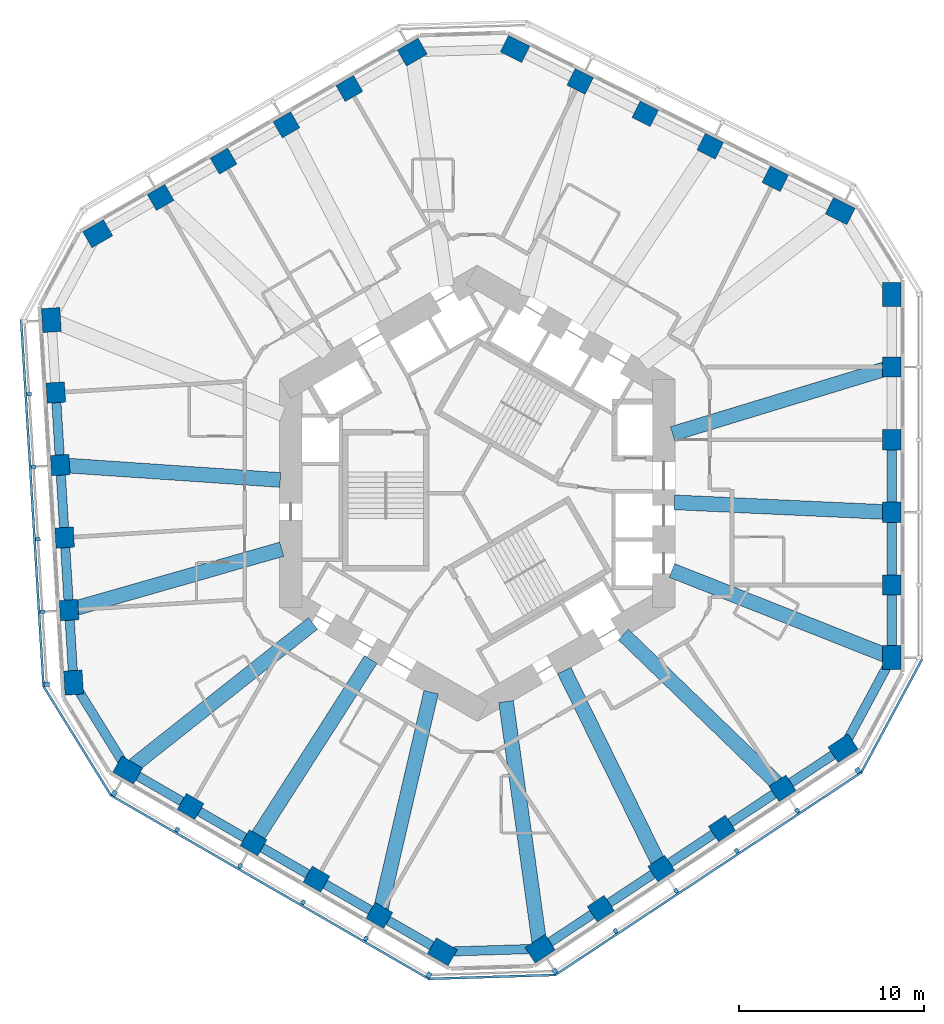
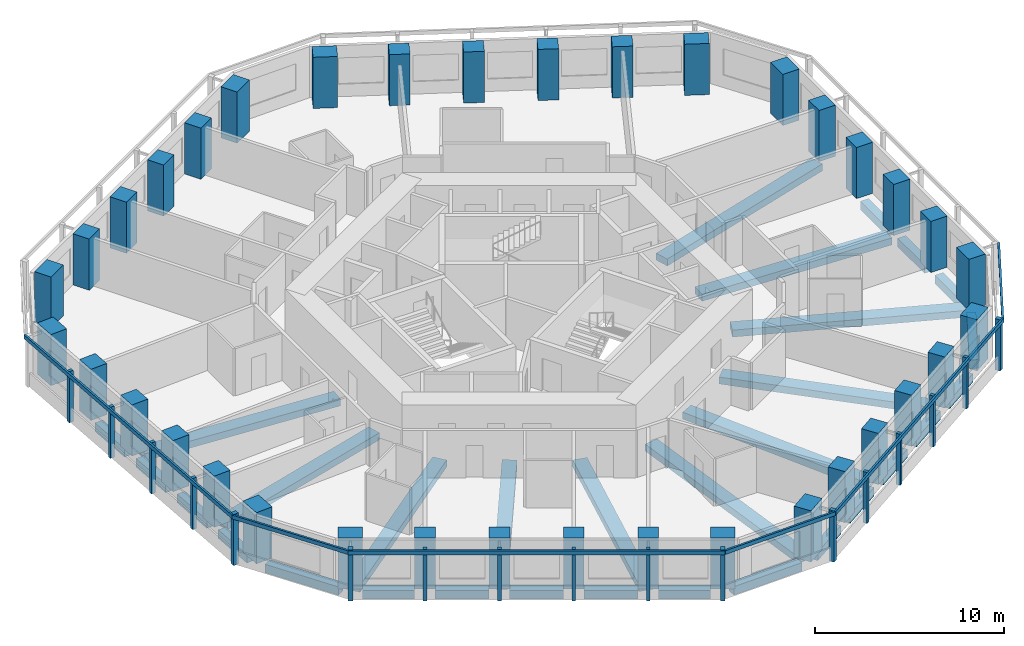
# One storey, part 1 of 12: 36 columns, 31 beams, 23 members, 6 elements without a shape of their own.
"""IFC4 building model written with IfcOpenShell, lengths in metres."""

from ifc_helpers import new_model, si_unit, direction, frame, origin, origin_2d, place, context, subcontext, project, spatial, rectangle, extrude, material, material_profile, profile_set, type_object, element, aggregate, save


model = new_model("IFC4")

# Units and contexts
model_context = context("Model", 3, precision=1e-05, world=origin(), true_north=direction((0.0, 1.0)))
body_context = subcontext(model_context, "Body", "Model", "MODEL_VIEW")
ifc_project = project(units=[si_unit("LENGTHUNIT", "METRE"), si_unit("AREAUNIT", "SQUARE_METRE"), si_unit("VOLUMEUNIT", "CUBIC_METRE"), si_unit("PLANEANGLEUNIT", "RADIAN"), si_unit("MASSUNIT", "GRAM", prefix="KILO")], contexts=[model_context])

# Site, building, storey
site_placement = place(None, origin())
site = spatial("IfcSite", under=ifc_project, at=site_placement, CompositionType="ELEMENT")
building_placement = place(site_placement, origin())
building = spatial("IfcBuilding", under=site, at=building_placement, Name="Vanh Sen Convention Tower", CompositionType="ELEMENT")
storey_placement = place(building_placement, frame((0.0, 0.0, 103.39990234375)))
storey = spatial("IfcBuildingStorey", under=building, at=storey_placement, Name="L24", CompositionType="ELEMENT", Elevation=103.39990234375)

# Columns
ifc_material_1 = material(Name="Concrete C80/95", Category="concrete")
ifc_material_profile_1 = material_profile(ifc_material_1, rectangle(XDim=1.10009765625, YDim=1.0, at=origin_2d()), Name="RC 1100X1000")
ifc_profile_set_1 = profile_set([ifc_material_profile_1], Name="Concrete C80/95")
column_type_1 = type_object("IfcColumnType", Name="Facade column 1100 x 1000 C80/95", PredefinedType="COLUMN", material=ifc_profile_set_1)
for number, where, z_axis, x_axis, name in (
    (1, (22.449951171875, -4.964599609375, 0.0), (0.0, 0.0, 1.0), (0.0, 1.0, 0.0), "Facade column 02 L24"),
    (2, (22.449951171875, -1.030029296875, 0.0), (0.0, 0.0, 1.0), (0.0, 1.0, 0.0), "Facade column 03 L24"),
    (3, (22.449951171875, 2.904541015625, 0.0), (0.0, 0.0, 1.0), (0.0, 1.0, 0.0), "Facade column 04 L24"),
    (4, (22.449951171875, 6.839111328125, 0.0), (0.0, 0.0, 1.0), (0.0, 1.0, 0.0), "Facade column 05 L24"),
    (5, (16.1376953125, 17.039794921875, 0.0), (0.0, 0.0, 1.0), (-0.894934361602, 0.44619781311, 0.0), "Facade column 08 L24"),
    (6, (12.616455078125, 18.79541015625, 0.0), (0.0, 0.0, 1.0), (-0.894934361602, 0.44619781311, 0.0), "Facade column 09 L24"),
    (7, (9.09521484375, 20.55078125, 0.0), (0.0, 0.0, 1.0), (-0.894934361602, 0.44619781311, 0.0), "Facade column 10 L24"),
    (8, (5.57421875, 22.306396484375, 0.0), (0.0, 0.0, 1.0), (-0.894934361602, 0.44619781311, 0.0), "Facade column 11 L24"),
    (9, (-6.925537109375, 21.924560546875, 0.0), (0.0, 0.0, 1.0), (-0.866025403784, -0.5, 0.0), "Facade column 14 L24"),
    (10, (-10.3330078125, 19.957275390625, 0.0), (0.0, 0.0, 1.0), (-0.866025403784, -0.5, 0.0), "Facade column 15 L24"),
    (11, (-13.740478515625, 17.989990234375, 0.0), (0.0, 0.0, 1.0), (-0.866025403784, -0.5, 0.0), "Facade column 16 L24"),
    (12, (-17.14794921875, 16.022705078125, 0.0), (0.0, 0.0, 1.0), (-0.866025403784, -0.5, 0.0), "Facade column 17 L24"),
    (13, (-22.82568359375, 5.455810546875, 0.0), (0.0, 0.0, 1.0), (0.061048539535, -0.998134798422, 0.0), "Facade column 20 L24"),
    (14, (-22.58544921875, 1.528564453125, 0.0), (0.0, 0.0, 1.0), (0.061048539535, -0.998134798422, 0.0), "Facade column 21 L24"),
    (15, (-22.34521484375, -2.398681640625, 0.0), (0.0, 0.0, 1.0), (0.061048539535, -0.998134798422, 0.0), "Facade column 22 L24"),
    (16, (-22.10498046875, -6.325927734375, 0.0), (0.0, 0.0, 1.0), (0.061048539535, -0.998134798422, 0.0), "Facade column 23 L24"),
    (17, (-15.5244140625, -16.9599609375, 0.0), (0.0, 0.0, 1.0), (0.866025403784, -0.5, 0.0), "Facade column 26 L24"),
    (18, (-12.1171875, -18.92724609375, 0.0), (0.0, 0.0, 1.0), (0.866025403784, -0.5, 0.0), "Facade column 27 L24"),
    (19, (-8.709716796875, -20.89453125, 0.0), (0.0, 0.0, 1.0), (0.866025403784, -0.5, 0.0), "Facade column 28 L24"),
    (20, (-5.302001953125, -22.86181640625, 0.0), (0.0, 0.0, 1.0), (0.866025403784, -0.5, 0.0), "Facade column 29 L24"),
    (21, (6.68798828125, -22.49560546875, 0.0), (0.0, 0.0, 1.0), (0.833885822067, 0.551936985312, 0.0), "Facade column 32 L24"),
    (22, (9.968994140625, -20.323974609375, 0.0), (0.0, 0.0, 1.0), (0.833885822067, 0.551936985312, 0.0), "Facade column 33 L24"),
    (23, (13.25, -18.152099609375, 0.0), (0.0, 0.0, 1.0), (0.833885822067, 0.551936985312, 0.0), "Facade column 34 L24"),
    (24, (16.531005859375, -15.980712890625, 0.0), (0.0, 0.0, 1.0), (0.833885822067, 0.551936985312, 0.0), "Facade column 35 L24"),
):
    element("IfcColumn", number, at=place(storey_placement, frame(where, z_axis=z_axis, x_axis=x_axis)), inside=storey, type_object=column_type_1, Name=name, PredefinedType="COLUMN", context=body_context, shape_type="SweptSolid", body=[
        extrude(rectangle(XDim=1.10009765625, YDim=1.0, at=origin_2d()), origin(), (0.0, 0.0, 1.0), 3.300048828125),
    ])
ifc_material_profile_2 = material_profile(ifc_material_1, rectangle(XDim=1.300048828125, YDim=1.0, at=origin_2d()), Name="RC 1300X1000")
ifc_profile_set_2 = profile_set([ifc_material_profile_2], Name="Concrete C80/95")
column_type_2 = type_object("IfcColumnType", Name="Facade corner column 1300 x 1000 C80/95", PredefinedType="COLUMN", material=ifc_profile_set_2)
for number, where, z_axis, x_axis, name in (
    (25, (22.449951171875, -8.899169921875, 0.0), (0.0, 0.0, 1.0), (0.0, 1.0, 0.0), "Facade column 01 L24"),
    (26, (22.449951171875, 10.773681640625, 0.0), (0.0, 0.0, 1.0), (0.0, 1.0, 0.0), "Facade column 06 L24"),
    (27, (19.658935546875, 15.2841796875, 0.0), (0.0, 0.0, 1.0), (-0.894934361602, 0.44619781311, 0.0), "Facade column 07 L24"),
    (28, (2.052978515625, 24.06201171875, 0.0), (0.0, 0.0, 1.0), (-0.894934361602, 0.44619781311, 0.0), "Facade column 12 L24"),
    (29, (-3.51806640625, 23.891845703125, 0.0), (0.0, 0.0, 1.0), (-0.866025403784, -0.5, 0.0), "Facade column 13 L24"),
    (30, (-20.555419921875, 14.055419921875, 0.0), (0.0, 0.0, 1.0), (-0.866025403784, -0.5, 0.0), "Facade column 18 L24"),
    (31, (-23.06591796875, 9.383056640625, 0.0), (0.0, 0.0, 1.0), (0.061048539535, -0.998134798422, 0.0), "Facade column 19 L24"),
    (32, (-21.86474609375, -10.253173828125, 0.0), (0.0, 0.0, 1.0), (0.061048539535, -0.998134798422, 0.0), "Facade column 24 L24"),
    (33, (-18.931884765625, -14.99267578125, 0.0), (0.0, 0.0, 1.0), (0.866025403784, -0.5, 0.0), "Facade column 25 L24"),
    (34, (-1.894775390625, -24.8291015625, 0.0), (0.0, 0.0, 1.0), (0.866025403784, -0.5, 0.0), "Facade column 30 L24"),
    (35, (3.406982421875, -24.6669921875, 0.0), (0.0, 0.0, 1.0), (0.833885822067, 0.551936985312, 0.0), "Facade column 31 L24"),
    (36, (19.81201171875, -13.808837890625, 0.0), (0.0, 0.0, 1.0), (0.833885822067, 0.551936985312, 0.0), "Facade column 36 L24"),
):
    element("IfcColumn", number, at=place(storey_placement, frame(where, z_axis=z_axis, x_axis=x_axis)), inside=storey, type_object=column_type_2, Name=name, PredefinedType="COLUMN", context=body_context, shape_type="SweptSolid", body=[
        extrude(rectangle(XDim=1.300048828125, YDim=1.0, at=origin_2d()), origin(), (0.0, 0.0, 1.0), 3.300048828125),
    ])

# Curtain wall, member
ifc_material_2 = material(Name="Concrete C50/60", Category="concrete")
curtain_wall_type = type_object("IfcCurtainWallType", Name="Outer skin hotel zone", PredefinedType="NOTDEFINED", material=ifc_material_2)
curtain_wall_1_placement = place(storey_placement, origin())
curtain_wall_1 = element("IfcCurtainWall", 37, at=curtain_wall_1_placement, inside=storey, type_object=curtain_wall_type, Name="OUTER SKIN W L24", PredefinedType="NOTDEFINED")
ifc_material_profile_3 = material_profile(ifc_material_2, rectangle(XDim=0.25, YDim=0.300048828125, at=origin_2d()), Name="Outer skin precast corner fin 250 x 300")
ifc_profile_set_3 = profile_set([ifc_material_profile_3], Name="Concrete C50/60")
member_type_1 = type_object("IfcMemberType", Name="Outer skin precast corner fin 250 x 300", PredefinedType="MULLION", material=ifc_profile_set_3)
member_1_placement = place(storey_placement, frame((-23.31201171875, -10.341796875, 0.0), z_axis=(0.0, 0.0, 1.0), x_axis=(0.061048539535, -0.998134798422, 0.0)))
member_1 = element("IfcMember", 38, at=member_1_placement, type_object=member_type_1, Name="OUTER SKIN CORNER FIN 6 W L24", PredefinedType="MULLION", context=body_context, shape_type="SweptSolid", body=[
    extrude(rectangle(XDim=0.25, YDim=0.300048828125, at=origin_2d()), origin(), (0.0, 0.0, 1.0), 3.300048828125),
])

# Curtain wall, members
curtain_wall_2_placement = place(storey_placement, origin())
curtain_wall_2 = element("IfcCurtainWall", 39, at=curtain_wall_2_placement, inside=storey, type_object=curtain_wall_type, Name="OUTER SKIN SW L24", PredefinedType="NOTDEFINED")
member_2_placement = place(storey_placement, frame((-19.656982421875, -16.248291015625, 0.0), z_axis=(0.0, 0.0, 1.0), x_axis=(0.866025403784, -0.5, 0.0)))
member_2 = element("IfcMember", 40, at=member_2_placement, type_object=member_type_1, Name="OUTER SKIN CORNER FIN 1 SW L24", PredefinedType="MULLION", context=body_context, shape_type="SweptSolid", body=[
    extrude(rectangle(XDim=0.25, YDim=0.300048828125, at=origin_2d()), origin(), (0.0, 0.0, 1.0), 3.300048828125),
])
member_3_placement = place(storey_placement, frame((-2.61962890625, -26.084716796875, 0.0), z_axis=(0.0, 0.0, 1.0), x_axis=(0.866025403784, -0.5, 0.0)))
member_3 = element("IfcMember", 41, at=member_3_placement, type_object=member_type_1, Name="OUTER SKIN CORNER FIN 6 SW L24", PredefinedType="MULLION", context=body_context, shape_type="SweptSolid", body=[
    extrude(rectangle(XDim=0.25, YDim=0.300048828125, at=origin_2d()), origin(), (0.0, 0.0, 1.0), 3.300048828125),
])

curtain_wall_3_placement = place(storey_placement, origin())
curtain_wall_3 = element("IfcCurtainWall", 42, at=curtain_wall_3_placement, inside=storey, type_object=curtain_wall_type, Name="OUTER SKIN SE L24", PredefinedType="NOTDEFINED")
member_4_placement = place(storey_placement, frame((4.207275390625, -25.876220703125, 0.0), z_axis=(0.0, 0.0, 1.0), x_axis=(0.833885822067, 0.551936985312, 0.0)))
member_4 = element("IfcMember", 43, at=member_4_placement, type_object=member_type_1, Name="OUTER SKIN CORNER FIN 1 SE L24", PredefinedType="MULLION", context=body_context, shape_type="SweptSolid", body=[
    extrude(rectangle(XDim=0.25, YDim=0.300048828125, at=origin_2d()), origin(), (0.0, 0.0, 1.0), 3.300048828125),
])
member_5_placement = place(storey_placement, frame((20.6123046875, -15.01806640625, 0.0), z_axis=(0.0, 0.0, 1.0), x_axis=(0.833885822067, 0.551936985312, 0.0)))
member_5 = element("IfcMember", 44, at=member_5_placement, type_object=member_type_1, Name="OUTER SKIN CORNER FIN 6 SE L24", PredefinedType="MULLION", context=body_context, shape_type="SweptSolid", body=[
    extrude(rectangle(XDim=0.25, YDim=0.300048828125, at=origin_2d()), origin(), (0.0, 0.0, 1.0), 3.300048828125),
])

# Member
ifc_material_profile_4 = material_profile(ifc_material_2, rectangle(XDim=0.199951171875, YDim=0.25, at=origin_2d()), Name="Outer skin precast fin 200 x 250")
ifc_profile_set_4 = profile_set([ifc_material_profile_4], Name="Concrete C50/60")
member_type_2 = type_object("IfcMemberType", Name="Outer skin precast fin 200 x 250", PredefinedType="MULLION", material=ifc_profile_set_4)
member_6_placement = place(storey_placement, frame((-24.27294921875, 5.3671875, 0.0), z_axis=(0.0, 0.0, 1.0), x_axis=(0.061048539535, -0.998134798422, 0.0)))
member_6 = element("IfcMember", 45, at=member_6_placement, type_object=member_type_2, Name="OUTER SKIN fin 2 W L24", PredefinedType="MULLION", context=body_context, shape_type="SweptSolid", body=[
    extrude(rectangle(XDim=0.199951171875, YDim=0.25, at=origin_2d()), origin(), (0.0, 0.0, 1.0), 3.300048828125),
])

member_7_placement = place(storey_placement, frame((-24.03271484375, 1.440185546875, 0.0), z_axis=(0.0, 0.0, 1.0), x_axis=(0.061048539535, -0.998134798422, 0.0)))
member_7 = element("IfcMember", 46, at=member_7_placement, type_object=member_type_2, Name="OUTER SKIN fin 3 W L24", PredefinedType="MULLION", context=body_context, shape_type="SweptSolid", body=[
    extrude(rectangle(XDim=0.199951171875, YDim=0.25, at=origin_2d()), origin(), (0.0, 0.0, 1.0), 3.300048828125),
])

member_8_placement = place(storey_placement, frame((-23.79248046875, -2.4873046875, 0.0), z_axis=(0.0, 0.0, 1.0), x_axis=(0.061048539535, -0.998134798422, 0.0)))
member_8 = element("IfcMember", 47, at=member_8_placement, type_object=member_type_2, Name="OUTER SKIN fin 4 W L24", PredefinedType="MULLION", context=body_context, shape_type="SweptSolid", body=[
    extrude(rectangle(XDim=0.199951171875, YDim=0.25, at=origin_2d()), origin(), (0.0, 0.0, 1.0), 3.300048828125),
])

member_9_placement = place(storey_placement, frame((-23.55224609375, -6.414306640625, 0.0), z_axis=(0.0, 0.0, 1.0), x_axis=(0.061048539535, -0.998134798422, 0.0)))
member_9 = element("IfcMember", 48, at=member_9_placement, type_object=member_type_2, Name="OUTER SKIN fin 5 W L24", PredefinedType="MULLION", context=body_context, shape_type="SweptSolid", body=[
    extrude(rectangle(XDim=0.199951171875, YDim=0.25, at=origin_2d()), origin(), (0.0, 0.0, 1.0), 3.300048828125),
])

member_10_placement = place(storey_placement, frame((-16.24951171875, -18.2158203125, 0.0), z_axis=(0.0, 0.0, 1.0), x_axis=(0.866025403784, -0.5, 0.0)))
member_10 = element("IfcMember", 49, at=member_10_placement, type_object=member_type_2, Name="OUTER SKIN fin 2 SW L24", PredefinedType="MULLION", context=body_context, shape_type="SweptSolid", body=[
    extrude(rectangle(XDim=0.199951171875, YDim=0.25, at=origin_2d()), origin(), (0.0, 0.0, 1.0), 3.300048828125),
])

member_11_placement = place(storey_placement, frame((-12.842041015625, -20.182861328125, 0.0), z_axis=(0.0, 0.0, 1.0), x_axis=(0.866025403784, -0.5, 0.0)))
member_11 = element("IfcMember", 50, at=member_11_placement, type_object=member_type_2, Name="OUTER SKIN fin 3 SW L24", PredefinedType="MULLION", context=body_context, shape_type="SweptSolid", body=[
    extrude(rectangle(XDim=0.199951171875, YDim=0.25, at=origin_2d()), origin(), (0.0, 0.0, 1.0), 3.300048828125),
])

member_12_placement = place(storey_placement, frame((-9.4345703125, -22.150146484375, 0.0), z_axis=(0.0, 0.0, 1.0), x_axis=(0.866025403784, -0.5, 0.0)))
member_12 = element("IfcMember", 51, at=member_12_placement, type_object=member_type_2, Name="OUTER SKIN fin 4 SW L24", PredefinedType="MULLION", context=body_context, shape_type="SweptSolid", body=[
    extrude(rectangle(XDim=0.199951171875, YDim=0.25, at=origin_2d()), origin(), (0.0, 0.0, 1.0), 3.300048828125),
])

member_13_placement = place(storey_placement, frame((-6.027099609375, -24.117431640625, 0.0), z_axis=(0.0, 0.0, 1.0), x_axis=(0.866025403784, -0.5, 0.0)))
member_13 = element("IfcMember", 52, at=member_13_placement, type_object=member_type_2, Name="OUTER SKIN fin 5 SW L24", PredefinedType="MULLION", context=body_context, shape_type="SweptSolid", body=[
    extrude(rectangle(XDim=0.199951171875, YDim=0.25, at=origin_2d()), origin(), (0.0, 0.0, 1.0), 3.300048828125),
])

member_14_placement = place(storey_placement, frame((7.48828125, -23.70458984375, 0.0), z_axis=(0.0, 0.0, 1.0), x_axis=(0.833885822067, 0.551936985312, 0.0)))
member_14 = element("IfcMember", 53, at=member_14_placement, type_object=member_type_2, Name="OUTER SKIN fin 2 SE L24", PredefinedType="MULLION", context=body_context, shape_type="SweptSolid", body=[
    extrude(rectangle(XDim=0.199951171875, YDim=0.25, at=origin_2d()), origin(), (0.0, 0.0, 1.0), 3.300048828125),
])

member_15_placement = place(storey_placement, frame((10.769287109375, -21.532958984375, 0.0), z_axis=(0.0, 0.0, 1.0), x_axis=(0.833885822067, 0.551936985312, 0.0)))
member_15 = element("IfcMember", 54, at=member_15_placement, type_object=member_type_2, Name="OUTER SKIN fin 3 SE L24", PredefinedType="MULLION", context=body_context, shape_type="SweptSolid", body=[
    extrude(rectangle(XDim=0.199951171875, YDim=0.25, at=origin_2d()), origin(), (0.0, 0.0, 1.0), 3.300048828125),
])

member_16_placement = place(storey_placement, frame((14.05029296875, -19.361328125, 0.0), z_axis=(0.0, 0.0, 1.0), x_axis=(0.833885822067, 0.551936985312, 0.0)))
member_16 = element("IfcMember", 55, at=member_16_placement, type_object=member_type_2, Name="OUTER SKIN fin 4 SE L24", PredefinedType="MULLION", context=body_context, shape_type="SweptSolid", body=[
    extrude(rectangle(XDim=0.199951171875, YDim=0.25, at=origin_2d()), origin(), (0.0, 0.0, 1.0), 3.300048828125),
])

member_17_placement = place(storey_placement, frame((17.331298828125, -17.189697265625, 0.0), z_axis=(0.0, 0.0, 1.0), x_axis=(0.833885822067, 0.551936985312, 0.0)))
member_17 = element("IfcMember", 56, at=member_17_placement, type_object=member_type_2, Name="OUTER SKIN fin 5 SE L24", PredefinedType="MULLION", context=body_context, shape_type="SweptSolid", body=[
    extrude(rectangle(XDim=0.199951171875, YDim=0.25, at=origin_2d()), origin(), (0.0, 0.0, 1.0), 3.300048828125),
])

ifc_material_profile_5 = material_profile(ifc_material_2, rectangle(XDim=0.1201171875, YDim=0.25, at=origin_2d()), Name="Outer skin precast spandrel band 250 x 120")
ifc_profile_set_5 = profile_set([ifc_material_profile_5], Name="Concrete C50/60")
member_type_3 = type_object("IfcMemberType", Name="Outer skin precast spandrel band 250 x 120", PredefinedType="USERDEFINED", material=ifc_profile_set_5)
member_18_placement = place(storey_placement, frame((-24.705322265625, 9.408203125, 3.175048828125), z_axis=(0.061050017989, -0.998134707995, 0.0), x_axis=(0.998134707995, 0.061050017989, 0.0)))
member_18 = element("IfcMember", 57, at=member_18_placement, type_object=member_type_3, Name="OUTER SKIN spandrel band W L24", ObjectType="TRANSOM", PredefinedType="USERDEFINED", context=body_context, shape_type="SweptSolid", body=[
    extrude(rectangle(XDim=0.1201171875, YDim=0.25, at=origin_2d()), origin(), (0.0, 0.0, 1.0), 19.923095703125),
])

aggregate(curtain_wall_1, [member_6, member_7, member_8, member_9, member_1, member_18])

# Curtain wall, member
curtain_wall_4_placement = place(storey_placement, origin())
curtain_wall_4 = element("IfcCurtainWall", 58, at=curtain_wall_4_placement, inside=storey, type_object=curtain_wall_type, Name="OUTER SKIN CH4 L24", PredefinedType="NOTDEFINED")
member_19_placement = place(storey_placement, frame((-23.49072265625, -10.4521484375, 3.175048828125), z_axis=(0.526196095141, -0.850363257354, 0.0), x_axis=(0.850363257354, 0.526196095141, 0.0)))
member_19 = element("IfcMember", 59, at=member_19_placement, type_object=member_type_3, Name="OUTER SKIN spandrel band CH4 L24", ObjectType="TRANSOM", PredefinedType="USERDEFINED", context=body_context, shape_type="SweptSolid", body=[
    extrude(rectangle(XDim=0.1201171875, YDim=0.25, at=origin_2d()), origin(), (0.0, 0.0, 1.0), 6.946044921875),
])
aggregate(curtain_wall_4, [member_19])

# Member
member_20_placement = place(storey_placement, frame((-19.85791015625, -16.34619140625, 3.175048828125), z_axis=(0.866028047459, -0.499995420993, 0.0), x_axis=(0.499995420993, 0.866028047459, 0.0)))
member_20 = element("IfcMember", 60, at=member_20_placement, type_object=member_type_3, Name="OUTER SKIN spandrel band SW L24", ObjectType="TRANSOM", PredefinedType="USERDEFINED", context=body_context, shape_type="SweptSolid", body=[
    extrude(rectangle(XDim=0.1201171875, YDim=0.25, at=origin_2d()), origin(), (0.0, 0.0, 1.0), 19.923095703125),
])

aggregate(curtain_wall_2, [member_2, member_10, member_11, member_12, member_13, member_3, member_20])

# Curtain wall, member
curtain_wall_5_placement = place(storey_placement, origin())
curtain_wall_5 = element("IfcCurtainWall", 61, at=curtain_wall_5_placement, inside=storey, type_object=curtain_wall_type, Name="OUTER SKIN CH5 L24", PredefinedType="NOTDEFINED")
member_21_placement = place(storey_placement, frame((-2.61328125, -26.294677734375, 3.175048828125), z_axis=(0.99953396928, 0.030526124156, 0.0), x_axis=(-0.030526124156, 0.99953396928, 0.0)))
member_21 = element("IfcMember", 62, at=member_21_placement, type_object=member_type_3, Name="OUTER SKIN spandrel band CH5 L24", ObjectType="TRANSOM", PredefinedType="USERDEFINED", context=body_context, shape_type="SweptSolid", body=[
    extrude(rectangle(XDim=0.1201171875, YDim=0.25, at=origin_2d()), origin(), (0.0, 0.0, 1.0), 6.830078125),
])
aggregate(curtain_wall_5, [member_21])

# Member
member_22_placement = place(storey_placement, frame((4.205078125, -26.099609375, 3.175048828125), z_axis=(0.833883851182, 0.551939962984, 0.0), x_axis=(-0.551939962984, 0.833883851182, 0.0)))
member_22 = element("IfcMember", 63, at=member_22_placement, type_object=member_type_3, Name="OUTER SKIN spandrel band SE L24", ObjectType="TRANSOM", PredefinedType="USERDEFINED", context=body_context, shape_type="SweptSolid", body=[
    extrude(rectangle(XDim=0.1201171875, YDim=0.25, at=origin_2d()), origin(), (0.0, 0.0, 1.0), 19.923095703125),
])

aggregate(curtain_wall_3, [member_4, member_14, member_15, member_16, member_17, member_5, member_22])

# Curtain wall, member
curtain_wall_6_placement = place(storey_placement, origin())
curtain_wall_6 = element("IfcCurtainWall", 64, at=curtain_wall_6_placement, inside=storey, type_object=curtain_wall_type, Name="OUTER SKIN CH6 L24", PredefinedType="NOTDEFINED")
member_23_placement = place(storey_placement, frame((20.797119140625, -15.117431640625, 3.175048828125), z_axis=(0.473324148816, 0.880888330123, 0.0), x_axis=(-0.880888330123, 0.473324148816, 0.0)))
member_23 = element("IfcMember", 65, at=member_23_placement, type_object=member_type_3, Name="OUTER SKIN spandrel band CH6 L24", ObjectType="TRANSOM", PredefinedType="USERDEFINED", context=body_context, shape_type="SweptSolid", body=[
    extrude(rectangle(XDim=0.1201171875, YDim=0.25, at=origin_2d()), origin(), (0.0, 0.0, 1.0), 6.9462890625),
])
aggregate(curtain_wall_6, [member_23])

# Beams
ifc_material_3 = material(Name="Concrete C50/60", Category="concrete")
ifc_material_profile_6 = material_profile(ifc_material_3, rectangle(XDim=0.800048828125, YDim=0.449951171875, at=origin_2d()), Name="RC 800X450")
ifc_profile_set_6 = profile_set([ifc_material_profile_6], Name="Concrete C50/60")
beam_type_1 = type_object("IfcBeamType", Name="Radial floor beam 800 x 450", PredefinedType="BEAM", material=ifc_profile_set_6)
beam_1_placement = place(storey_placement, frame((22.10205078125, -8.76123046875, -0.474853515625), z_axis=(-0.929623737454, 0.368510117584, 0.0), x_axis=(-0.368510117584, -0.929623737454, 0.0)))
element("IfcBeam", 66, at=beam_1_placement, inside=storey, type_object=beam_type_1, Name="Radial beam 01 L24", PredefinedType="BEAM", context=body_context, shape_type="SweptSolid", body=[
    extrude(rectangle(XDim=0.800048828125, YDim=0.449951171875, at=origin_2d()), origin(), (0.0, 0.0, 1.0), 12.4287109375),
])
beam_2_placement = place(storey_placement, frame((21.973388671875, -1.00830078125, -0.474853515625), z_axis=(-0.998949085964, 0.045833651953, 0.0), x_axis=(-0.045833651953, -0.998949085964, 0.0)))
element("IfcBeam", 67, at=beam_2_placement, inside=storey, type_object=beam_type_1, Name="Radial beam 02 L24", PredefinedType="BEAM", context=body_context, shape_type="SweptSolid", body=[
    extrude(rectangle(XDim=0.800048828125, YDim=0.449951171875, at=origin_2d()), origin(), (0.0, 0.0, 1.0), 11.30859375),
])
beam_3_placement = place(storey_placement, frame((22.0712890625, 6.7236328125, -0.474853515625), z_axis=(-0.956599525752, -0.29140581211, 0.0), x_axis=(0.29140581211, -0.956599525752, 0.0)))
element("IfcBeam", 68, at=beam_3_placement, inside=storey, type_object=beam_type_1, Name="Radial beam 03 L24", PredefinedType="BEAM", context=body_context, shape_type="SweptSolid", body=[
    extrude(rectangle(XDim=0.800048828125, YDim=0.449951171875, at=origin_2d()), origin(), (0.0, 0.0, 1.0), 12.01416015625),
])
beam_4_placement = place(storey_placement, frame((-22.138916015625, 1.498291015625, -0.474853515625), z_axis=(0.997717468066, -0.0675266904, 0.0), x_axis=(0.0675266904, 0.997717468066, 0.0)))
element("IfcBeam", 69, at=beam_4_placement, inside=storey, type_object=beam_type_1, Name="Radial beam 11 L24", PredefinedType="BEAM", context=body_context, shape_type="SweptSolid", body=[
    extrude(rectangle(XDim=0.800048828125, YDim=0.449951171875, at=origin_2d()), origin(), (0.0, 0.0, 1.0), 11.4970703125),
])
beam_5_placement = place(storey_placement, frame((-21.70263671875, -6.210693359375, -0.474853515625), z_axis=(0.96140993594, 0.275119855837, 0.0), x_axis=(-0.275119855837, 0.96140993594, 0.0)))
element("IfcBeam", 70, at=beam_5_placement, inside=storey, type_object=beam_type_1, Name="Radial beam 12 L24", PredefinedType="BEAM", context=body_context, shape_type="SweptSolid", body=[
    extrude(rectangle(XDim=0.800048828125, YDim=0.449951171875, at=origin_2d()), origin(), (0.0, 0.0, 1.0), 11.563720703125),
])
beam_6_placement = place(storey_placement, frame((-18.638671875, -14.76025390625, -0.474853515625), z_axis=(0.78395420425, 0.620818657612, 0.0), x_axis=(-0.620818657612, 0.78395420425, 0.0)))
element("IfcBeam", 71, at=beam_6_placement, inside=storey, type_object=beam_type_1, Name="Radial beam 13 L24", PredefinedType="BEAM", context=body_context, shape_type="SweptSolid", body=[
    extrude(rectangle(XDim=0.800048828125, YDim=0.449951171875, at=origin_2d()), origin(), (0.0, 0.0, 1.0), 12.428955078125),
])
beam_7_placement = place(storey_placement, frame((-11.85986328125, -18.525390625, -0.474853515625), z_axis=(0.539160288654, 0.842203172126, 0.0), x_axis=(-0.842203172126, 0.539160288654, 0.0)))
element("IfcBeam", 72, at=beam_7_placement, inside=storey, type_object=beam_type_1, Name="Radial beam 14 L24", PredefinedType="BEAM", context=body_context, shape_type="SweptSolid", body=[
    extrude(rectangle(XDim=0.800048828125, YDim=0.449951171875, at=origin_2d()), origin(), (0.0, 0.0, 1.0), 11.30859375),
])
beam_8_placement = place(storey_placement, frame((-5.212646484375, -22.476318359375, -0.474853515625), z_axis=(0.225927931957, 0.974144018902, 0.0), x_axis=(-0.974144018902, 0.225927931957, 0.0)))
element("IfcBeam", 73, at=beam_8_placement, inside=storey, type_object=beam_type_1, Name="Radial beam 15 L24", PredefinedType="BEAM", context=body_context, shape_type="SweptSolid", body=[
    extrude(rectangle(XDim=0.800048828125, YDim=0.449951171875, at=origin_2d()), origin(), (0.0, 0.0, 1.0), 12.01416015625),
])
beam_9_placement = place(storey_placement, frame((3.35791015625, -24.312744140625, -0.474853515625), z_axis=(-0.136801873088, 0.990598428991, 0.0), x_axis=(-0.990598428991, -0.136801873088, 0.0)))
element("IfcBeam", 74, at=beam_9_placement, inside=storey, type_object=beam_type_1, Name="Radial beam 16 L24", PredefinedType="BEAM", context=body_context, shape_type="SweptSolid", body=[
    extrude(rectangle(XDim=0.800048828125, YDim=0.449951171875, at=origin_2d()), origin(), (0.0, 0.0, 1.0), 13.159912109375),
])
beam_10_placement = place(storey_placement, frame((9.77197265625, -19.922119140625, -0.474853515625), z_axis=(-0.440388501121, 0.89780731122, 0.0), x_axis=(-0.89780731122, -0.440388501121, 0.0)))
element("IfcBeam", 75, at=beam_10_placement, inside=storey, type_object=beam_type_1, Name="Radial beam 17 L24", PredefinedType="BEAM", context=body_context, shape_type="SweptSolid", body=[
    extrude(rectangle(XDim=0.800048828125, YDim=0.449951171875, at=origin_2d()), origin(), (0.0, 0.0, 1.0), 11.497314453125),
])
beam_11_placement = place(storey_placement, frame((16.22998046875, -15.689697265625, -0.474853515625), z_axis=(-0.718965868582, 0.695045379679, 0.0), x_axis=(-0.695045379679, -0.718965868582, 0.0)))
element("IfcBeam", 76, at=beam_11_placement, inside=storey, type_object=beam_type_1, Name="Radial beam 18 L24", PredefinedType="BEAM", context=body_context, shape_type="SweptSolid", body=[
    extrude(rectangle(XDim=0.800048828125, YDim=0.449951171875, at=origin_2d()), origin(), (0.0, 0.0, 1.0), 11.563720703125),
])
ifc_material_profile_7 = material_profile(ifc_material_3, rectangle(XDim=0.5, YDim=0.550048828125, at=origin_2d()), Name="RC 500X550")
ifc_profile_set_7 = profile_set([ifc_material_profile_7], Name="Concrete C50/60")
beam_type_2 = type_object("IfcBeamType", Name="Spandrel beam 500 x 550", PredefinedType="SPANDREL", material=ifc_profile_set_7)
beam_12_placement = place(storey_placement, frame((22.449951171875, -8.254150390625, -0.52490234375), z_axis=(0.0, 1.0, 0.0), x_axis=(-1.0, 0.0, 0.0)))
element("IfcBeam", 77, at=beam_12_placement, inside=storey, type_object=beam_type_2, Name="Spandrel beam 01 L24", PredefinedType="SPANDREL", context=body_context, shape_type="SweptSolid", body=[
    extrude(rectangle(XDim=0.5, YDim=0.550048828125, at=origin_2d()), origin(), (0.0, 0.0, 1.0), 2.74462890625),
])
beam_13_placement = place(storey_placement, frame((22.449951171875, -4.419677734375, -0.52490234375), z_axis=(0.0, 1.0, 0.0), x_axis=(-1.0, 0.0, 0.0)))
element("IfcBeam", 78, at=beam_13_placement, inside=storey, type_object=beam_type_2, Name="Spandrel beam 02 L24", PredefinedType="SPANDREL", context=body_context, shape_type="SweptSolid", body=[
    extrude(rectangle(XDim=0.5, YDim=0.550048828125, at=origin_2d()), origin(), (0.0, 0.0, 1.0), 2.844482421875),
])
for number, where, z_axis, x_axis, name in (
    (79, (22.449951171875, -0.485107421875, -0.52490234375), (0.0, 1.0, 0.0), (-1.0, 0.0, 0.0), "Spandrel beam 03 L24"),
    (80, (-22.792236328125, 4.911865234375, -0.52490234375), (0.061021069303, -0.998136478194, 0.0), (0.998136478194, 0.061021069303, 0.0), "Spandrel beam 20 L24"),
    (81, (-22.552001953125, 0.984619140625, -0.52490234375), (0.061021069303, -0.998136478194, 0.0), (0.998136478194, 0.061021069303, 0.0), "Spandrel beam 21 L24"),
    (82, (-22.31201171875, -2.942626953125, -0.52490234375), (0.061106573347, -0.998131247228, 0.0), (0.998131247228, 0.061106573347, 0.0), "Spandrel beam 22 L24"),
):
    element("IfcBeam", number, at=place(storey_placement, frame(where, z_axis=z_axis, x_axis=x_axis)), inside=storey, type_object=beam_type_2, Name=name, PredefinedType="SPANDREL", context=body_context, shape_type="SweptSolid", body=[
        extrude(rectangle(XDim=0.5, YDim=0.550048828125, at=origin_2d()), origin(), (0.0, 0.0, 1.0), 2.8447265625),
    ])
beam_14_placement = place(storey_placement, frame((-22.07177734375, -6.869873046875, -0.52490234375), z_axis=(0.061021442686, -0.998136455367, 0.0), x_axis=(0.998136455367, 0.061021442686, 0.0)))
element("IfcBeam", 83, at=beam_14_placement, inside=storey, type_object=beam_type_2, Name="Spandrel beam 23 L24", PredefinedType="SPANDREL", context=body_context, shape_type="SweptSolid", body=[
    extrude(rectangle(XDim=0.5, YDim=0.550048828125, at=origin_2d()), origin(), (0.0, 0.0, 1.0), 2.74462890625),
])
beam_15_placement = place(storey_placement, frame((-21.556396484375, -10.75146484375, -0.52490234375), z_axis=(0.526169375405, -0.850379790674, 0.0), x_axis=(0.850379790674, 0.526169375405, 0.0)))
element("IfcBeam", 84, at=beam_15_placement, inside=storey, type_object=beam_type_2, Name="Spandrel beam 24 L24", PredefinedType="SPANDREL", context=body_context, shape_type="SweptSolid", body=[
    extrude(rectangle(XDim=0.5, YDim=0.550048828125, at=origin_2d()), origin(), (0.0, 0.0, 1.0), 4.4013671875),
])
beam_16_placement = place(storey_placement, frame((-18.373291015625, -15.315185546875, -0.52490234375), z_axis=(0.866006330792, -0.500033033937, 0.0), x_axis=(0.500033033937, 0.866006330792, 0.0)))
element("IfcBeam", 85, at=beam_16_placement, inside=storey, type_object=beam_type_2, Name="Spandrel beam 25 L24", PredefinedType="SPANDREL", context=body_context, shape_type="SweptSolid", body=[
    extrude(rectangle(XDim=0.5, YDim=0.550048828125, at=origin_2d()), origin(), (0.0, 0.0, 1.0), 2.744384765625),
])
for number, where, z_axis, x_axis, name in (
    (86, (-15.052490234375, -17.232421875, -0.52490234375), (0.866005490874, -0.500034488586, 0.0), (0.500034488586, 0.866005490874, 0.0), "Spandrel beam 26 L24"),
    (87, (-11.64501953125, -19.19970703125, -0.52490234375), (0.866005490874, -0.500034488586, 0.0), (0.500034488586, 0.866005490874, 0.0), "Spandrel beam 27 L24"),
    (88, (-8.237548828125, -21.1669921875, -0.52490234375), (0.866005490874, -0.500034488586, 0.0), (0.500034488586, 0.866005490874, 0.0), "Spandrel beam 28 L24"),
):
    element("IfcBeam", number, at=place(storey_placement, frame(where, z_axis=z_axis, x_axis=x_axis)), inside=storey, type_object=beam_type_2, Name=name, PredefinedType="SPANDREL", context=body_context, shape_type="SweptSolid", body=[
        extrude(rectangle(XDim=0.5, YDim=0.550048828125, at=origin_2d()), origin(), (0.0, 0.0, 1.0), 2.844482421875),
    ])
beam_17_placement = place(storey_placement, frame((-4.830078125, -23.13427734375, -0.52490234375), z_axis=(0.866006330792, -0.500033033937, 0.0), x_axis=(0.500033033937, 0.866006330792, 0.0)))
element("IfcBeam", 89, at=beam_17_placement, inside=storey, type_object=beam_type_2, Name="Spandrel beam 29 L24", PredefinedType="SPANDREL", context=body_context, shape_type="SweptSolid", body=[
    extrude(rectangle(XDim=0.5, YDim=0.550048828125, at=origin_2d()), origin(), (0.0, 0.0, 1.0), 2.744384765625),
])
beam_18_placement = place(storey_placement, frame((-1.353759765625, -24.8125, -0.52490234375), z_axis=(0.999533721385, 0.030534240042, 0.0), x_axis=(-0.030534240042, 0.999533721385, 0.0)))
element("IfcBeam", 90, at=beam_18_placement, inside=storey, type_object=beam_type_2, Name="Spandrel beam 30 L24", PredefinedType="SPANDREL", context=body_context, shape_type="SweptSolid", body=[
    extrude(rectangle(XDim=0.5, YDim=0.550048828125, at=origin_2d()), origin(), (0.0, 0.0, 1.0), 4.2216796875),
])
beam_19_placement = place(storey_placement, frame((3.94482421875, -24.31103515625, -0.52490234375), z_axis=(0.833906917805, 0.551905111805, 0.0), x_axis=(-0.551905111805, 0.833906917805, 0.0)))
element("IfcBeam", 91, at=beam_19_placement, inside=storey, type_object=beam_type_2, Name="Spandrel beam 31 L24", PredefinedType="SPANDREL", context=body_context, shape_type="SweptSolid", body=[
    extrude(rectangle(XDim=0.5, YDim=0.550048828125, at=origin_2d()), origin(), (0.0, 0.0, 1.0), 2.744384765625),
])
beam_20_placement = place(storey_placement, frame((7.142333984375, -22.194580078125, -0.52490234375), z_axis=(0.833920587756, 0.551884456491, 0.0), x_axis=(-0.551884456491, 0.833920587756, 0.0)))
element("IfcBeam", 92, at=beam_20_placement, inside=storey, type_object=beam_type_2, Name="Spandrel beam 32 L24", PredefinedType="SPANDREL", context=body_context, shape_type="SweptSolid", body=[
    extrude(rectangle(XDim=0.5, YDim=0.550048828125, at=origin_2d()), origin(), (0.0, 0.0, 1.0), 2.844482421875),
])
beam_21_placement = place(storey_placement, frame((10.42333984375, -20.023193359375, -0.52490234375), z_axis=(0.833841584342, 0.552003815406, 0.0), x_axis=(-0.552003815406, 0.833841584342, 0.0)))
element("IfcBeam", 93, at=beam_21_placement, inside=storey, type_object=beam_type_2, Name="Spandrel beam 33 L24", PredefinedType="SPANDREL", context=body_context, shape_type="SweptSolid", body=[
    extrude(rectangle(XDim=0.5, YDim=0.550048828125, at=origin_2d()), origin(), (0.0, 0.0, 1.0), 2.8447265625),
])
beam_22_placement = place(storey_placement, frame((13.704345703125, -17.851318359375, -0.52490234375), z_axis=(0.833920587756, 0.551884456491, 0.0), x_axis=(-0.551884456491, 0.833920587756, 0.0)))
element("IfcBeam", 94, at=beam_22_placement, inside=storey, type_object=beam_type_2, Name="Spandrel beam 34 L24", PredefinedType="SPANDREL", context=body_context, shape_type="SweptSolid", body=[
    extrude(rectangle(XDim=0.5, YDim=0.550048828125, at=origin_2d()), origin(), (0.0, 0.0, 1.0), 2.844482421875),
])
beam_23_placement = place(storey_placement, frame((16.9853515625, -15.6796875, -0.52490234375), z_axis=(0.833865974996, 0.551966969794, 0.0), x_axis=(-0.551966969794, 0.833865974996, 0.0)))
element("IfcBeam", 95, at=beam_23_placement, inside=storey, type_object=beam_type_2, Name="Spandrel beam 35 L24", PredefinedType="SPANDREL", context=body_context, shape_type="SweptSolid", body=[
    extrude(rectangle(XDim=0.5, YDim=0.550048828125, at=origin_2d()), origin(), (0.0, 0.0, 1.0), 2.74462890625),
])
beam_24_placement = place(storey_placement, frame((20.08935546875, -13.29248046875, -0.52490234375), z_axis=(0.473335516366, 0.880882221949, 0.0), x_axis=(-0.880882221949, 0.473335516366, 0.0)))
element("IfcBeam", 96, at=beam_24_placement, inside=storey, type_object=beam_type_2, Name="Spandrel beam 36 L24", PredefinedType="SPANDREL", context=body_context, shape_type="SweptSolid", body=[
    extrude(rectangle(XDim=0.5, YDim=0.550048828125, at=origin_2d()), origin(), (0.0, 0.0, 1.0), 4.401123046875),
])

save(model, "model.ifc")
